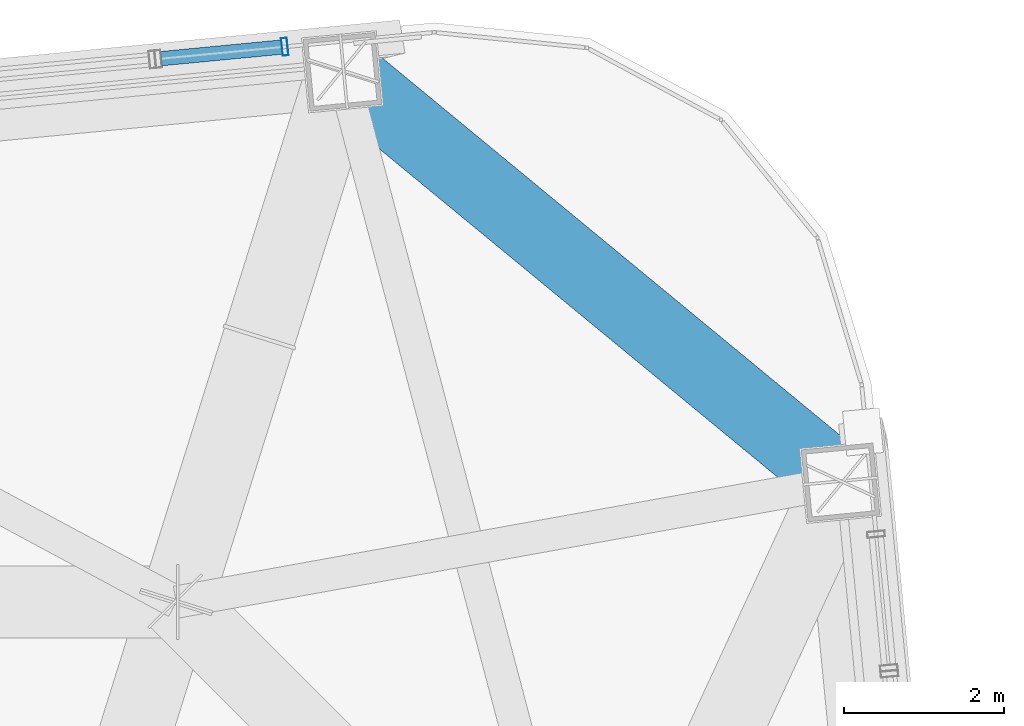
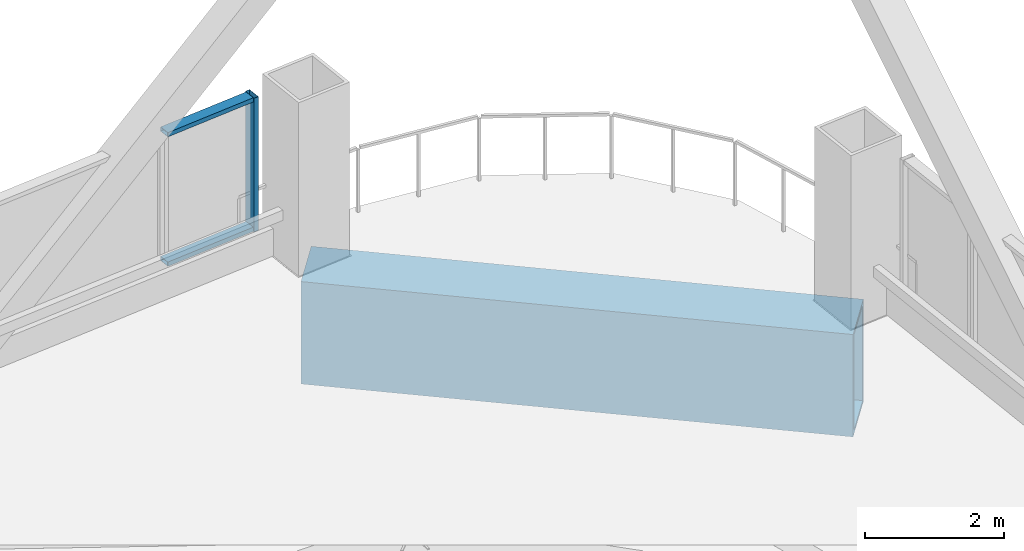
# One storey, part 32 of 42: 3 members, 1 beam, 1 element without a shape of its own.
"""IFC4 building model written with IfcOpenShell, lengths in metres."""

from ifc_helpers import new_model, si_unit, direction, frame, origin, origin_2d, place, context, subcontext, project, spatial, hollow_rectangle, extrude, material, layer, layer_set, material_profile, profile_set, type_object, element, aggregate, save


model = new_model("IFC4")

# Units and contexts
model_context = context("Model", 3, precision=1e-05, world=origin(), true_north=direction((0.0, 1.0)))
body_context = subcontext(model_context, "Body", "Model", "MODEL_VIEW")
ifc_project = project(units=[si_unit("LENGTHUNIT", "METRE"), si_unit("AREAUNIT", "SQUARE_METRE"), si_unit("VOLUMEUNIT", "CUBIC_METRE"), si_unit("PLANEANGLEUNIT", "RADIAN"), si_unit("MASSUNIT", "GRAM", prefix="KILO")], contexts=[model_context])

# Site, building, storey
site_placement = place(None, origin())
site = spatial("IfcSite", under=ifc_project, at=site_placement, CompositionType="ELEMENT")
building_placement = place(site_placement, origin())
building = spatial("IfcBuilding", under=site, at=building_placement, Name="Qhalaya Broadcast Tower", CompositionType="ELEMENT")
storey_placement = place(building_placement, frame((0.0, 0.0, 69.449951171875)))
storey = spatial("IfcBuildingStorey", under=building, at=storey_placement, Name="L19", CompositionType="ELEMENT", Elevation=69.449951171875)

# Beam
ifc_material_1 = material(Name="Structural Steel ASTM A572 Grade 50", Category="steel")
ifc_material_profile_1 = material_profile(ifc_material_1, hollow_rectangle(XDim=0.89990234375, YDim=1.800048828125, WallThickness=0.06005859375, at=origin_2d()), Name="BOX 900x1800x60")
ifc_profile_set_1 = profile_set([ifc_material_profile_1], Name="Structural Steel ASTM A572 Grade 50")
beam_type = type_object("IfcBeamType", Name="Block Cantilever Transfer Box Girder TG1", PredefinedType="USERDEFINED", material=ifc_profile_set_1)
beam_placement = place(storey_placement, frame((25.765380859375, 24.165283203125, -1.119873046875), z_axis=(-0.771633771695, 0.636067073806, 0.0), x_axis=(-0.636067073806, -0.771633771695, 0.0)))
element("IfcBeam", 1, at=beam_placement, inside=storey, type_object=beam_type, Name="L19 TG1 L19-SPR-08", ObjectType="GIRDER", PredefinedType="USERDEFINED", context=body_context, shape_type="SweptSolid", body=[
    extrude(hollow_rectangle(XDim=0.89990234375, YDim=1.800048828125, WallThickness=0.06005859375, at=origin_2d()), origin(), (0.0, 0.0, 1.0), 8.060791015625),
])

# Curtain wall, members
ifc_material_2 = material(Name="Solar-Control Low-E Triple Glazing", Category="glass")
ifc_layer = layer(ifc_material_2, 0.219970703125, Name="Solar-Control Low-E Triple Glazing")
ifc_layer_set = layer_set([ifc_layer], Name="Solar-Control Low-E Triple Glazing")
curtain_wall_type = type_object("IfcCurtainWallType", Name="Even-Block 4-Storey Double-Module Curtain Wall CW-03", PredefinedType="NOTDEFINED", material=ifc_layer_set)
curtain_wall_placement = place(storey_placement, origin())
curtain_wall = element("IfcCurtainWall", 2, at=curtain_wall_placement, inside=storey, type_object=curtain_wall_type, Name="L19 Unitised Curtain Wall L19-CW-N1", PredefinedType="NOTDEFINED")
ifc_material_3 = material(Name="Anodised Aluminium 6063-T6", Category="aluminium")
ifc_material_profile_2 = material_profile(ifc_material_3, hollow_rectangle(XDim=0.074951171875, YDim=0.219970703125, WallThickness=0.00390625, at=origin_2d()), Name="ALU-MUL 75x220x4")
ifc_profile_set_2 = profile_set([ifc_material_profile_2], Name="Anodised Aluminium 6063-T6")
member_type_1 = type_object("IfcMemberType", Name="Unitised Curtain-Wall Mullion M01", PredefinedType="MULLION", material=ifc_profile_set_2)
member_1_placement = place(storey_placement, frame((18.82470703125, 29.60498046875, 0.47998046875), z_axis=(0.0, 0.0, 1.0), x_axis=(-0.995395680125, -0.095851134517, 0.0)))
member_1 = element("IfcMember", 3, at=member_1_placement, type_object=member_type_1, Name="CW-03 mullion 1", PredefinedType="MULLION", context=body_context, shape_type="SweptSolid", body=[
    extrude(hollow_rectangle(XDim=0.074951171875, YDim=0.219970703125, WallThickness=0.00390625, at=origin_2d()), origin(), (0.0, 0.0, 1.0), 2.35009765625),
])
ifc_material_profile_3 = material_profile(ifc_material_3, hollow_rectangle(XDim=0.074951171875, YDim=0.179931640625, WallThickness=0.00390625, at=origin_2d()), Name="ALU-TRN 75x180x4")
ifc_profile_set_3 = profile_set([ifc_material_profile_3], Name="Anodised Aluminium 6063-T6")
member_type_2 = type_object("IfcMemberType", Name="Unitised Curtain-Wall Transom T01", PredefinedType="USERDEFINED", material=ifc_profile_set_3)
member_2_placement = place(storey_placement, frame((18.787353515625, 29.601318359375, 0.517578125), z_axis=(-0.995404293936, -0.095761639569, 0.0), x_axis=(0.0, 0.0, 1.0)))
member_2 = element("IfcMember", 4, at=member_2_placement, type_object=member_type_2, Name="CW-03 transom 1.1", ObjectType="TRANSOM", PredefinedType="USERDEFINED", context=body_context, shape_type="SweptSolid", body=[
    extrude(hollow_rectangle(XDim=0.074951171875, YDim=0.179931640625, WallThickness=0.00390625, at=origin_2d()), origin(), (0.0, 0.0, 1.0), 1.51171875),
])
member_3_placement = place(storey_placement, frame((18.787353515625, 29.601318359375, 2.79248046875), z_axis=(-0.995404293936, -0.095761639569, 0.0), x_axis=(0.0, 0.0, 1.0)))
member_3 = element("IfcMember", 5, at=member_3_placement, type_object=member_type_2, Name="CW-03 transom 1.2", ObjectType="TRANSOM", PredefinedType="USERDEFINED", context=body_context, shape_type="SweptSolid", body=[
    extrude(hollow_rectangle(XDim=0.074951171875, YDim=0.179931640625, WallThickness=0.00390625, at=origin_2d()), origin(), (0.0, 0.0, 1.0), 1.51171875),
])
aggregate(curtain_wall, [member_1, member_2, member_3])

save(model, "model.ifc")
